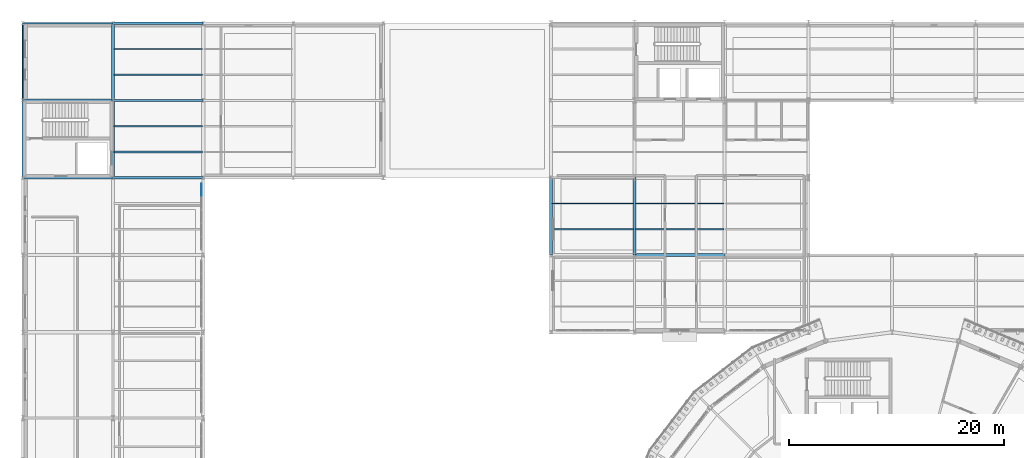
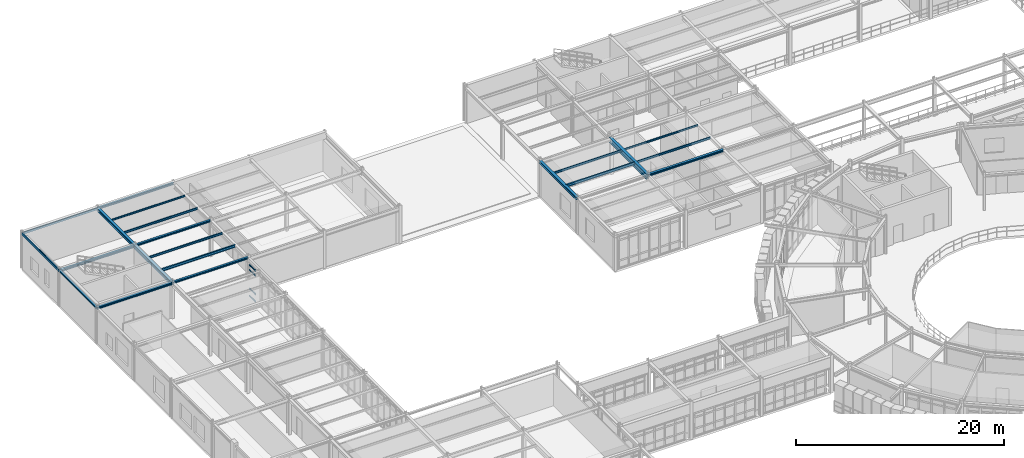
# One storey, part 50 of 106: 21 beams, 4 members, 1 element without a shape of its own.
"""IFC4 building model written with IfcOpenShell, lengths in metres."""

from ifc_helpers import new_model, si_unit, derived_unit, direction, frame, origin, origin_2d, place, context, subcontext, project, spatial, rectangle, hollow_rectangle, i_section, extrude, material, layer, layer_set, material_profile, profile_set, type_object, element, aggregate, save


model = new_model("IFC4")

# Units and contexts
model_context = context("Model", 3, precision=1e-05, world=origin(), true_north=direction((0.0, 1.0)))
body_context = subcontext(model_context, "Body", "Model", "MODEL_VIEW")
ifc_project = project(units=[si_unit("LENGTHUNIT", "METRE"), si_unit("AREAUNIT", "SQUARE_METRE"), si_unit("VOLUMEUNIT", "CUBIC_METRE"), si_unit("PLANEANGLEUNIT", "RADIAN"), si_unit("MASSUNIT", "GRAM", prefix="KILO"), derived_unit("THERMALTRANSMITTANCEUNIT", [(si_unit("POWERUNIT", "WATT"), 1), (si_unit("AREAUNIT", "SQUARE_METRE"), -1), (si_unit("THERMODYNAMICTEMPERATUREUNIT", "KELVIN"), -1)])], contexts=[model_context])

# Site, building, storey
site_placement = place(None, origin())
site = spatial("IfcSite", under=ifc_project, at=site_placement, CompositionType="ELEMENT")
building_placement = place(site_placement, origin())
building = spatial("IfcBuilding", under=site, at=building_placement, Name="Yasenodar Specialist Clinic", CompositionType="ELEMENT")
storey_placement = place(building_placement, frame((0.0, 0.0, 4.5)))
storey = spatial("IfcBuildingStorey", under=building, at=storey_placement, Name="L01", CompositionType="ELEMENT", Elevation=4.5)

# Beams
ifc_material_1 = material(Name="Steel S355", Category="steel")
ifc_material_profile_1 = material_profile(ifc_material_1, i_section(OverallWidth=0.219970703125, OverallDepth=0.2099609375, WebThickness=0.007080078125, FlangeThickness=0.010986328125, FilletRadius=0.01806640625, at=origin_2d()), Name="HEA 220")
ifc_profile_set_1 = profile_set([ifc_material_profile_1], Name="Steel S355")
beam_type_1 = type_object("IfcBeamType", Name="BM-HEA220", PredefinedType="BEAM", material=ifc_profile_set_1)
for number, where, z_axis, x_axis, name in (
    (1, (8.39990234375, 97.199951171875, 4.14501953125), (1.0, 0.0, 0.0), (0.0, 1.0, 0.0), "L01 Primary E-W Girder"),
    (2, (8.39990234375, 104.39990234375, 4.14501953125), (1.0, 0.0, 0.0), (0.0, 1.0, 0.0), "L01 Primary E-W Girder"),
):
    element("IfcBeam", number, at=place(storey_placement, frame(where, z_axis=z_axis, x_axis=x_axis)), inside=storey, type_object=beam_type_1, Name=name, PredefinedType="BEAM", context=body_context, shape_type="SweptSolid", body=[
        extrude(i_section(OverallWidth=0.219970703125, OverallDepth=0.2099609375, WebThickness=0.007080078125, FlangeThickness=0.010986328125, FilletRadius=0.01806640625, at=origin_2d()), origin(), (0.0, 0.0, 1.0), 8.400146484375),
    ])
ifc_material_profile_2 = material_profile(ifc_material_1, i_section(OverallWidth=0.260009765625, OverallDepth=0.25, WebThickness=0.007568359375, FlangeThickness=0.012451171875, FilletRadius=0.02392578125, at=origin_2d()), Name="HEA 260")
ifc_profile_set_2 = profile_set([ifc_material_profile_2], Name="Steel S355")
beam_type_2 = type_object("IfcBeamType", Name="BM-HEA260", PredefinedType="BEAM", material=ifc_profile_set_2)
for number, where, z_axis, x_axis, name in (
    (3, (57.0, 90.0, 4.125), (1.0, 0.0, 0.0), (0.0, 1.0, 0.0), "L01 Primary E-W Girder"),
    (4, (0.0, 97.199951171875, 4.125), (1.0, 0.0, 0.0), (0.0, 1.0, 0.0), "L01 Primary E-W Girder"),
    (5, (0.0, 104.39990234375, 4.125), (1.0, 0.0, 0.0), (0.0, 1.0, 0.0), "L01 Primary E-W Girder"),
):
    element("IfcBeam", number, at=place(storey_placement, frame(where, z_axis=z_axis, x_axis=x_axis)), inside=storey, type_object=beam_type_2, Name=name, PredefinedType="BEAM", context=body_context, shape_type="SweptSolid", body=[
        extrude(i_section(OverallWidth=0.260009765625, OverallDepth=0.25, WebThickness=0.007568359375, FlangeThickness=0.012451171875, FilletRadius=0.02392578125, at=origin_2d()), origin(), (0.0, 0.0, 1.0), 8.39990234375),
    ])
ifc_material_profile_3 = material_profile(ifc_material_1, i_section(OverallWidth=0.300048828125, OverallDepth=0.300048828125, WebThickness=0.010986328125, FlangeThickness=0.01904296875, FilletRadius=0.027099609375, at=origin_2d()), Name="HEB 300")
ifc_profile_set_3 = profile_set([ifc_material_profile_3], Name="Steel S355")
beam_type_3 = type_object("IfcBeamType", Name="BM-HEB300", PredefinedType="BEAM", material=ifc_profile_set_3)
beam_1_placement = place(storey_placement, frame((49.199951171875, 90.0, 4.10009765625), z_axis=(0.0, 1.0, 0.0), x_axis=(-1.0, 0.0, 0.0)))
element("IfcBeam", 6, at=beam_1_placement, inside=storey, type_object=beam_type_3, Name="L01 Primary N-S Girder", PredefinedType="BEAM", context=body_context, shape_type="SweptSolid", body=[
    extrude(i_section(OverallWidth=0.300048828125, OverallDepth=0.300048828125, WebThickness=0.010986328125, FlangeThickness=0.01904296875, FilletRadius=0.027099609375, at=origin_2d()), origin(), (0.0, 0.0, 1.0), 7.199951171875),
])
ifc_material_profile_4 = material_profile(ifc_material_1, i_section(OverallWidth=0.300048828125, OverallDepth=0.340087890625, WebThickness=0.011962890625, FlangeThickness=0.021484375, FilletRadius=0.027099609375, at=origin_2d()), Name="HEB 340")
ifc_profile_set_4 = profile_set([ifc_material_profile_4], Name="Steel S355")
beam_type_4 = type_object("IfcBeamType", Name="BM-HEB340", PredefinedType="BEAM", material=ifc_profile_set_4)
beam_2_placement = place(storey_placement, frame((8.39990234375, 104.39990234375, 4.080078125), z_axis=(0.0, 1.0, 0.0), x_axis=(-1.0, 0.0, 0.0)))
element("IfcBeam", 7, at=beam_2_placement, inside=storey, type_object=beam_type_4, Name="L01 Primary N-S Girder", PredefinedType="BEAM", context=body_context, shape_type="SweptSolid", body=[
    extrude(i_section(OverallWidth=0.300048828125, OverallDepth=0.340087890625, WebThickness=0.011962890625, FlangeThickness=0.021484375, FilletRadius=0.027099609375, at=origin_2d()), origin(), (0.0, 0.0, 1.0), 7.2001953125),
])
ifc_material_profile_5 = material_profile(ifc_material_1, i_section(OverallWidth=0.300048828125, OverallDepth=0.39990234375, WebThickness=0.013427734375, FlangeThickness=0.02392578125, FilletRadius=0.027099609375, at=origin_2d()), Name="HEB 400")
ifc_profile_set_5 = profile_set([ifc_material_profile_5], Name="Steel S355")
beam_type_5 = type_object("IfcBeamType", Name="BM-HEB400", PredefinedType="BEAM", material=ifc_profile_set_5)
beam_3_placement = place(storey_placement, frame((8.39990234375, 97.199951171875, 4.050048828125), z_axis=(0.0, 1.0, 0.0), x_axis=(-1.0, 0.0, 0.0)))
element("IfcBeam", 8, at=beam_3_placement, inside=storey, type_object=beam_type_5, Name="L01 Primary N-S Girder", PredefinedType="BEAM", context=body_context, shape_type="SweptSolid", body=[
    extrude(i_section(OverallWidth=0.300048828125, OverallDepth=0.39990234375, WebThickness=0.013427734375, FlangeThickness=0.02392578125, FilletRadius=0.027099609375, at=origin_2d()), origin(), (0.0, 0.0, 1.0), 7.199951171875),
])
ifc_material_profile_6 = material_profile(ifc_material_1, i_section(OverallWidth=0.300048828125, OverallDepth=0.60009765625, WebThickness=0.015380859375, FlangeThickness=0.030029296875, FilletRadius=0.027099609375, at=origin_2d()), Name="HEB 600")
ifc_profile_set_6 = profile_set([ifc_material_profile_6], Name="Steel S355")
beam_type_6 = type_object("IfcBeamType", Name="BM-HEB600", PredefinedType="BEAM", material=ifc_profile_set_6)
beam_4_placement = place(storey_placement, frame((57.0, 90.0, 3.949951171875), z_axis=(0.0, 1.0, 0.0), x_axis=(-1.0, 0.0, 0.0)))
element("IfcBeam", 9, at=beam_4_placement, inside=storey, type_object=beam_type_6, Name="L01 Primary N-S Girder", PredefinedType="BEAM", context=body_context, shape_type="SweptSolid", body=[
    extrude(i_section(OverallWidth=0.300048828125, OverallDepth=0.60009765625, WebThickness=0.015380859375, FlangeThickness=0.030029296875, FilletRadius=0.027099609375, at=origin_2d()), origin(), (0.0, 0.0, 1.0), 7.199951171875),
])

# Curtain wall, members
ifc_material_2 = material(Name="Bronze Anodized Aluminium and Triple Low-E Glass", Category="aluminium")
ifc_layer = layer(ifc_material_2, 0.202880859375)
ifc_layer_set = layer_set([ifc_layer], Name="Bronze Anodized Aluminium and Triple Low-E Glass")
curtain_wall_type = type_object("IfcCurtainWallType", Name="CW-SYS-04", PredefinedType="USERDEFINED", material=ifc_layer_set)
curtain_wall_placement = place(storey_placement, origin())
curtain_wall = element("IfcCurtainWall", 10, at=curtain_wall_placement, inside=storey, type_object=curtain_wall_type, Name="L01 Unitised Curtain Wall 121", ObjectType="UNITISED CURTAIN WALL", PredefinedType="USERDEFINED")
ifc_material_3 = material(Name="Bronze Anodized Aluminium", Category="aluminium")
ifc_material_profile_7 = material_profile(ifc_material_3, rectangle(XDim=0.06005859375, YDim=0.1201171875, at=origin_2d()), Name="CW-TRAN 60x120")
ifc_profile_set_7 = profile_set([ifc_material_profile_7], Name="Bronze Anodized Aluminium")
member_type = type_object("IfcMemberType", Name="CW-TRAN-120", PredefinedType="USERDEFINED", material=ifc_profile_set_7)
member_1_placement = place(storey_placement, frame((16.64990234375, 96.659912109375, 0.030029296875), z_axis=(0.0, -1.0, 0.0), x_axis=(1.0, 0.0, 0.0)))
member_1 = element("IfcMember", 11, at=member_1_placement, type_object=member_type, Name="CW-04 transom 1.1", ObjectType="TRANSOM", PredefinedType="USERDEFINED", context=body_context, shape_type="SweptSolid", body=[
    extrude(rectangle(XDim=0.06005859375, YDim=0.1201171875, at=origin_2d()), origin(), (0.0, 0.0, 1.0), 1.157958984375),
])
member_2_placement = place(storey_placement, frame((16.64990234375, 96.659912109375, 0.89990234375), z_axis=(0.0, -1.0, 0.0), x_axis=(1.0, 0.0, 0.0)))
member_2 = element("IfcMember", 12, at=member_2_placement, type_object=member_type, Name="CW-04 transom 1.2", ObjectType="TRANSOM", PredefinedType="USERDEFINED", context=body_context, shape_type="SweptSolid", body=[
    extrude(rectangle(XDim=0.06005859375, YDim=0.1201171875, at=origin_2d()), origin(), (0.0, 0.0, 1.0), 1.157958984375),
])
member_3_placement = place(storey_placement, frame((16.64990234375, 96.659912109375, 3.077880859375), z_axis=(0.0, -1.0, 0.0), x_axis=(1.0, 0.0, 0.0)))
member_3 = element("IfcMember", 13, at=member_3_placement, type_object=member_type, Name="CW-04 transom 1.3", ObjectType="TRANSOM", PredefinedType="USERDEFINED", context=body_context, shape_type="SweptSolid", body=[
    extrude(rectangle(XDim=0.06005859375, YDim=0.1201171875, at=origin_2d()), origin(), (0.0, 0.0, 1.0), 1.157958984375),
])
member_4_placement = place(storey_placement, frame((16.64990234375, 96.659912109375, 3.64794921875), z_axis=(0.0, -1.0, 0.0), x_axis=(1.0, 0.0, 0.0)))
member_4 = element("IfcMember", 14, at=member_4_placement, type_object=member_type, Name="CW-04 transom 1.4", ObjectType="TRANSOM", PredefinedType="USERDEFINED", context=body_context, shape_type="SweptSolid", body=[
    extrude(rectangle(XDim=0.06005859375, YDim=0.1201171875, at=origin_2d()), origin(), (0.0, 0.0, 1.0), 1.157958984375),
])
aggregate(curtain_wall, [member_1, member_2, member_3, member_4])

# Beams
ifc_material_profile_8 = material_profile(ifc_material_1, i_section(OverallWidth=0.10009765625, OverallDepth=0.199951171875, WebThickness=0.005615234375, FlangeThickness=0.008544921875, FilletRadius=0.011962890625, at=origin_2d()), Name="IPE 200")
ifc_profile_set_8 = profile_set([ifc_material_profile_8], Name="Steel S355")
beam_type_7 = type_object("IfcBeamType", Name="JS-IPE200", PredefinedType="JOIST", material=ifc_profile_set_8)
for number, where, z_axis, x_axis, name in (
    (15, (8.47998046875, 109.199951171875, 4.14990234375), (1.0, 0.0, 0.0), (0.0, 1.0, 0.0), "L01 Composite Floor Joist"),
    (16, (57.080078125, 94.800048828125, 4.14990234375), (1.0, 0.0, 0.0), (0.0, 1.0, 0.0), "L01 Composite Floor Joist"),
):
    element("IfcBeam", number, at=place(storey_placement, frame(where, z_axis=z_axis, x_axis=x_axis)), inside=storey, type_object=beam_type_7, Name=name, PredefinedType="JOIST", context=body_context, shape_type="SweptSolid", body=[
        extrude(i_section(OverallWidth=0.10009765625, OverallDepth=0.199951171875, WebThickness=0.005615234375, FlangeThickness=0.008544921875, FilletRadius=0.011962890625, at=origin_2d()), origin(), (0.0, 0.0, 1.0), 8.239990234375),
    ])
ifc_material_profile_9 = material_profile(ifc_material_1, i_section(OverallWidth=0.1201171875, OverallDepth=0.239990234375, WebThickness=0.006103515625, FlangeThickness=0.009765625, FilletRadius=0.014892578125, at=origin_2d()), Name="IPE 240")
ifc_profile_set_9 = profile_set([ifc_material_profile_9], Name="Steel S355")
beam_type_8 = type_object("IfcBeamType", Name="JS-IPE240", PredefinedType="JOIST", material=ifc_profile_set_9)
for number, where, z_axis, x_axis, name in (
    (17, (8.47998046875, 102.0, 4.1298828125), (1.0, 0.0, 0.0), (0.0, 1.0, 0.0), "L01 Composite Floor Joist"),
    (18, (8.47998046875, 106.800048828125, 4.1298828125), (1.0, 0.0, 0.0), (0.0, 1.0, 0.0), "L01 Composite Floor Joist"),
):
    element("IfcBeam", number, at=place(storey_placement, frame(where, z_axis=z_axis, x_axis=x_axis)), inside=storey, type_object=beam_type_8, Name=name, PredefinedType="JOIST", context=body_context, shape_type="SweptSolid", body=[
        extrude(i_section(OverallWidth=0.1201171875, OverallDepth=0.239990234375, WebThickness=0.006103515625, FlangeThickness=0.009765625, FilletRadius=0.014892578125, at=origin_2d()), origin(), (0.0, 0.0, 1.0), 8.239990234375),
    ])
beam_5_placement = place(storey_placement, frame((49.280029296875, 94.800048828125, 4.1298828125), z_axis=(1.0, 0.0, 0.0), x_axis=(0.0, 1.0, 0.0)))
element("IfcBeam", 19, at=beam_5_placement, inside=storey, type_object=beam_type_8, Name="L01 Composite Floor Joist", PredefinedType="JOIST", context=body_context, shape_type="SweptSolid", body=[
    extrude(i_section(OverallWidth=0.1201171875, OverallDepth=0.239990234375, WebThickness=0.006103515625, FlangeThickness=0.009765625, FilletRadius=0.014892578125, at=origin_2d()), origin(), (0.0, 0.0, 1.0), 7.639892578125),
])
beam_6_placement = place(storey_placement, frame((57.080078125, 92.39990234375, 4.1298828125), z_axis=(1.0, 0.0, 0.0), x_axis=(0.0, 1.0, 0.0)))
element("IfcBeam", 20, at=beam_6_placement, inside=storey, type_object=beam_type_8, Name="L01 Composite Floor Joist", PredefinedType="JOIST", context=body_context, shape_type="SweptSolid", body=[
    extrude(i_section(OverallWidth=0.1201171875, OverallDepth=0.239990234375, WebThickness=0.006103515625, FlangeThickness=0.009765625, FilletRadius=0.014892578125, at=origin_2d()), origin(), (0.0, 0.0, 1.0), 8.239990234375),
])
ifc_material_profile_10 = material_profile(ifc_material_1, i_section(OverallWidth=0.14990234375, OverallDepth=0.300048828125, WebThickness=0.007080078125, FlangeThickness=0.0107421875, FilletRadius=0.014892578125, at=origin_2d()), Name="IPE 300")
ifc_profile_set_10 = profile_set([ifc_material_profile_10], Name="Steel S355")
beam_type_9 = type_object("IfcBeamType", Name="JS-IPE300", PredefinedType="JOIST", material=ifc_profile_set_10)
beam_7_placement = place(storey_placement, frame((8.47998046875, 99.60009765625, 4.10009765625), z_axis=(1.0, 0.0, 0.0), x_axis=(0.0, 1.0, 0.0)))
element("IfcBeam", 21, at=beam_7_placement, inside=storey, type_object=beam_type_9, Name="L01 Composite Floor Joist", PredefinedType="JOIST", context=body_context, shape_type="SweptSolid", body=[
    extrude(i_section(OverallWidth=0.14990234375, OverallDepth=0.300048828125, WebThickness=0.007080078125, FlangeThickness=0.0107421875, FilletRadius=0.014892578125, at=origin_2d()), origin(), (0.0, 0.0, 1.0), 8.239990234375),
])
beam_8_placement = place(storey_placement, frame((49.280029296875, 92.39990234375, 4.10009765625), z_axis=(1.0, 0.0, 0.0), x_axis=(0.0, 1.0, 0.0)))
element("IfcBeam", 22, at=beam_8_placement, inside=storey, type_object=beam_type_9, Name="L01 Composite Floor Joist", PredefinedType="JOIST", context=body_context, shape_type="SweptSolid", body=[
    extrude(i_section(OverallWidth=0.14990234375, OverallDepth=0.300048828125, WebThickness=0.007080078125, FlangeThickness=0.0107421875, FilletRadius=0.014892578125, at=origin_2d()), origin(), (0.0, 0.0, 1.0), 7.639892578125),
])
ifc_material_profile_11 = material_profile(ifc_material_1, i_section(OverallWidth=0.199951171875, OverallDepth=0.18994140625, WebThickness=0.006591796875, FlangeThickness=0.010009765625, FilletRadius=0.01806640625, at=origin_2d()), Name="HEA 200")
ifc_profile_set_11 = profile_set([ifc_material_profile_11], Name="Steel S355")
beam_type_10 = type_object("IfcBeamType", Name="SP-HEA200", PredefinedType="SPANDREL", material=ifc_profile_set_11)
beam_9_placement = place(storey_placement, frame((0.0, 97.199951171875, 4.155029296875), z_axis=(0.0, 1.0, 0.0), x_axis=(-1.0, 0.0, 0.0)))
element("IfcBeam", 23, at=beam_9_placement, inside=storey, type_object=beam_type_10, Name="L01 Perimeter Spandrel Beam", PredefinedType="SPANDREL", context=body_context, shape_type="SweptSolid", body=[
    extrude(i_section(OverallWidth=0.199951171875, OverallDepth=0.18994140625, WebThickness=0.006591796875, FlangeThickness=0.010009765625, FilletRadius=0.01806640625, at=origin_2d()), origin(), (0.0, 0.0, 1.0), 7.199951171875),
])
ifc_material_profile_12 = material_profile(ifc_material_1, i_section(OverallWidth=0.239990234375, OverallDepth=0.22998046875, WebThickness=0.007568359375, FlangeThickness=0.011962890625, FilletRadius=0.02099609375, at=origin_2d()), Name="HEA 240")
ifc_profile_set_12 = profile_set([ifc_material_profile_12], Name="Steel S355")
beam_type_11 = type_object("IfcBeamType", Name="SP-HEA240", PredefinedType="SPANDREL", material=ifc_profile_set_12)
beam_10_placement = place(storey_placement, frame((8.39990234375, 111.60009765625, 4.135009765625), z_axis=(1.0, 0.0, 0.0), x_axis=(0.0, 1.0, 0.0)))
element("IfcBeam", 24, at=beam_10_placement, inside=storey, type_object=beam_type_11, Name="L01 Perimeter Spandrel Beam", PredefinedType="SPANDREL", context=body_context, shape_type="SweptSolid", body=[
    extrude(i_section(OverallWidth=0.239990234375, OverallDepth=0.22998046875, WebThickness=0.007568359375, FlangeThickness=0.011962890625, FilletRadius=0.02099609375, at=origin_2d()), origin(), (0.0, 0.0, 1.0), 8.400146484375),
])
ifc_material_profile_13 = material_profile(ifc_material_1, hollow_rectangle(XDim=0.14990234375, YDim=0.25, WallThickness=0.010009765625, InnerFilletRadius=0.014892578125, OuterFilletRadius=0.02490234375, at=origin_2d()), Name="RHS 250x150x10")
ifc_profile_set_13 = profile_set([ifc_material_profile_13], Name="Steel S355")
beam_type_12 = type_object("IfcBeamType", Name="SP-RHS250", PredefinedType="SPANDREL", material=ifc_profile_set_13)
beam_11_placement = place(storey_placement, frame((0.0, 111.60009765625, 4.125), z_axis=(1.0, 0.0, 0.0), x_axis=(0.0, 1.0, 0.0)))
element("IfcBeam", 25, at=beam_11_placement, inside=storey, type_object=beam_type_12, Name="L01 Perimeter Spandrel Beam", PredefinedType="SPANDREL", context=body_context, shape_type="SweptSolid", body=[
    extrude(hollow_rectangle(XDim=0.14990234375, YDim=0.25, WallThickness=0.010009765625, InnerFilletRadius=0.014892578125, OuterFilletRadius=0.02490234375, at=origin_2d()), origin(), (0.0, 0.0, 1.0), 8.39990234375),
])
beam_12_placement = place(storey_placement, frame((0.0, 104.39990234375, 4.125), z_axis=(0.0, 1.0, 0.0), x_axis=(-1.0, 0.0, 0.0)))
element("IfcBeam", 26, at=beam_12_placement, inside=storey, type_object=beam_type_12, Name="L01 Perimeter Spandrel Beam", PredefinedType="SPANDREL", context=body_context, shape_type="SweptSolid", body=[
    extrude(hollow_rectangle(XDim=0.14990234375, YDim=0.25, WallThickness=0.010009765625, InnerFilletRadius=0.014892578125, OuterFilletRadius=0.02490234375, at=origin_2d()), origin(), (0.0, 0.0, 1.0), 7.2001953125),
])

save(model, "model.ifc")
